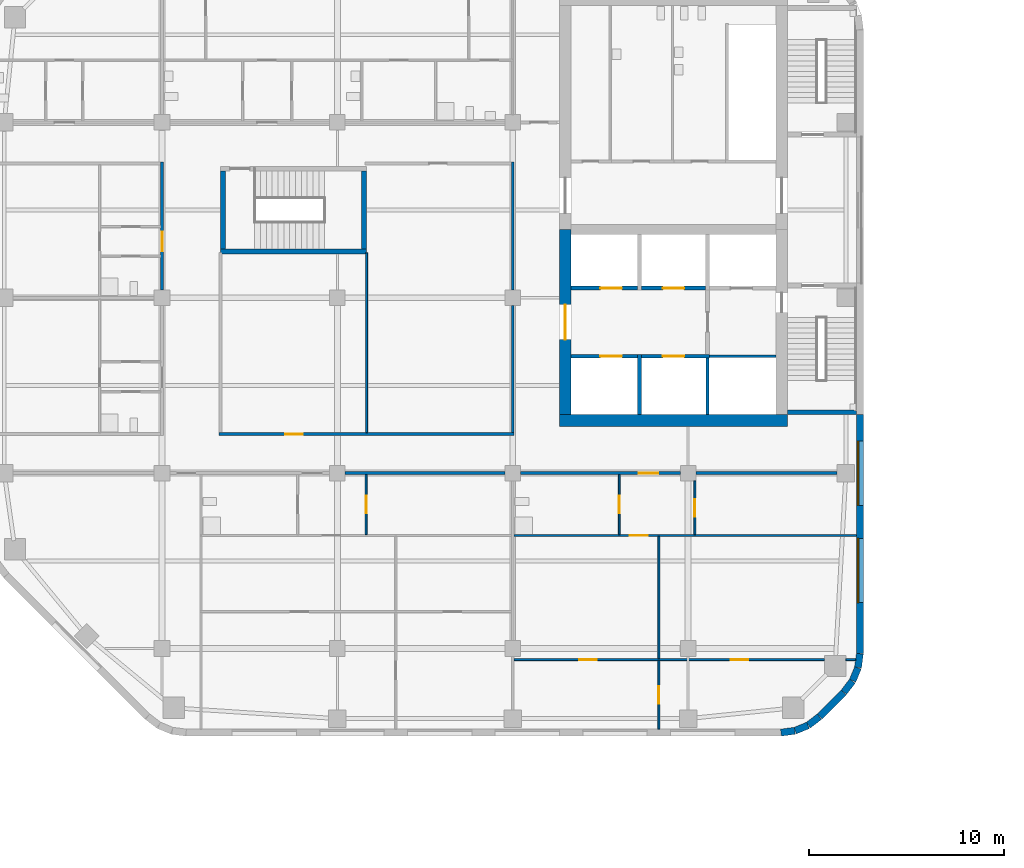
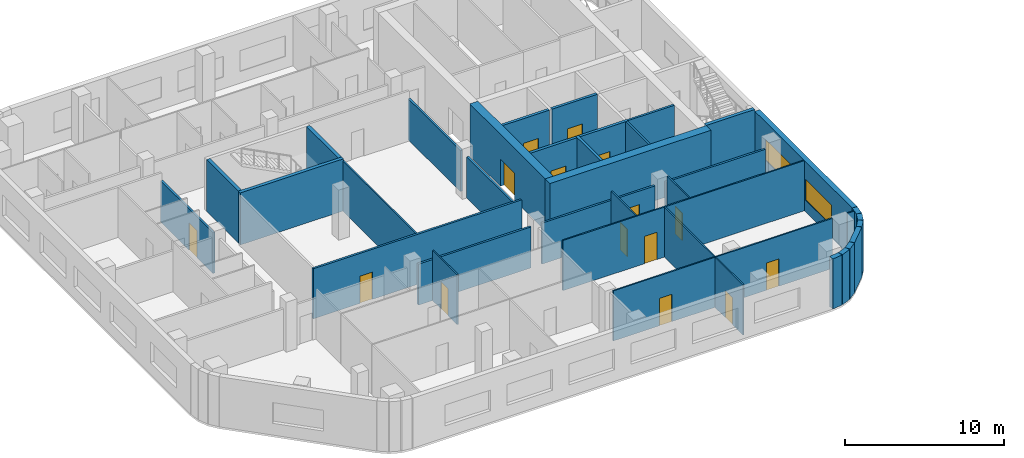
# One storey, part 6 of 16: 37 walls, 15 doors, 2 windows, 17 openings.
"""IFC4 building model written with IfcOpenShell, lengths in metres."""

from ifc_helpers import new_model, si_unit, direction, frame, frame_2d, origin, place, context, subcontext, project, spatial, rectangle, extrude, material, layer, layer_set, type_object, element, fill, save


model = new_model("IFC4")

# Units and contexts
model_context = context("Model", 3, precision=1e-05, world=origin(), true_north=direction((0.0, 1.0)))
body_context = subcontext(model_context, "Body", "Model", "MODEL_VIEW")
ifc_project = project(units=[si_unit("LENGTHUNIT", "METRE"), si_unit("AREAUNIT", "SQUARE_METRE"), si_unit("VOLUMEUNIT", "CUBIC_METRE"), si_unit("PLANEANGLEUNIT", "RADIAN"), si_unit("MASSUNIT", "GRAM", prefix="KILO")], contexts=[model_context])

# Site, building, storey
site_placement = place(None, origin())
site = spatial("IfcSite", under=ifc_project, at=site_placement, CompositionType="ELEMENT")
building_placement = place(site_placement, origin())
building = spatial("IfcBuilding", under=site, at=building_placement, Name="Cinnabar Reach Civic Tower", CompositionType="ELEMENT")
storey_placement = place(building_placement, frame((0.0, 0.0, 34.0)))
storey = spatial("IfcBuildingStorey", under=building, at=storey_placement, Name="L07", CompositionType="ELEMENT", Elevation=34.0)

# Walls
ifc_material_1 = material(Name="Facing brick with insulated backing", Category="masonry")
ifc_layer_1 = layer(ifc_material_1, 0.36)
ifc_layer_set_1 = layer_set([ifc_layer_1], Name="Brick corner wall")
wall_type_1 = type_object("IfcWallType", Name="Brick corner wall", PredefinedType="STANDARD", material=ifc_layer_set_1)
for number, where, z_axis, x_axis, name in (
    (1, (-31.2314, 4.683, 0.0), (0.0, 0.0, 1.0), (0.99144092581, 0.13055608231, 0.0), "Brick corner wall"),
    (2, (-30.5027, 4.7819, 0.0), (0.0, 0.0, 1.0), (0.923871547278, 0.382702709855, 0.0), "Brick corner wall"),
):
    element("IfcWall", number, at=place(storey_placement, frame(where, z_axis=z_axis, x_axis=x_axis)), inside=storey, type_object=wall_type_1, Name=name, PredefinedType="STANDARD", context=body_context, shape_type="SweptSolid", body=[
        extrude(rectangle(XDim=0.7131, YDim=0.36, at=frame_2d((0.3565, 0.0))), origin(), (0.0, 0.0, 1.0), 3.85),
    ])
for number, where, z_axis, x_axis, name in (
    (3, (-29.8245, 5.066, 0.0), (0.0, 0.0, 1.0), (0.793321924995, 0.608802368033, 0.0), "Brick corner wall"),
    (4, (-28.0002, 6.7587, 0.0), (0.0, 0.0, 1.0), (0.608802368033, 0.793321924995, 0.0), "Brick corner wall"),
):
    element("IfcWall", number, at=place(storey_placement, frame(where, z_axis=z_axis, x_axis=x_axis)), inside=storey, type_object=wall_type_1, Name=name, PredefinedType="STANDARD", context=body_context, shape_type="SweptSolid", body=[
        extrude(rectangle(XDim=0.7132, YDim=0.36, at=frame_2d((0.3566, 0.0))), origin(), (0.0, 0.0, 1.0), 3.85),
    ])
for number, where, z_axis, x_axis, name in (
    (5, (-27.5548, 7.3439, 0.0), (0.0, 0.0, 1.0), (0.382702709855, 0.923871547278, 0.0), "Brick corner wall"),
    (6, (-27.2761, 8.0244, 0.0), (0.0, 0.0, 1.0), (0.13055608231, 0.99144092581, 0.0), "Brick corner wall"),
):
    element("IfcWall", number, at=place(storey_placement, frame(where, z_axis=z_axis, x_axis=x_axis)), inside=storey, type_object=wall_type_1, Name=name, PredefinedType="STANDARD", context=body_context, shape_type="SweptSolid", body=[
        extrude(rectangle(XDim=0.7131, YDim=0.36, at=frame_2d((0.3565, 0.0))), origin(), (0.0, 0.0, 1.0), 3.85),
    ])
ifc_layer_2 = layer(ifc_material_1, 0.36)
ifc_layer_set_2 = layer_set([ifc_layer_2], Name="Brick pier and spandrel wall")
wall_type_2 = type_object("IfcWallType", Name="Brick pier and spandrel wall", PredefinedType="STANDARD", material=ifc_layer_set_2)
wall_1_placement = place(storey_placement, frame((-29.2486, 5.506, 0.0), z_axis=(0.0, 0.0, 1.0), x_axis=(0.707106781187, 0.707106781187, 0.0)))
element("IfcWall", 7, at=wall_1_placement, inside=storey, type_object=wall_type_2, Name="Brick facade wall", PredefinedType="STANDARD", context=body_context, shape_type="SweptSolid", body=[
    extrude(rectangle(XDim=1.7573, YDim=0.36, at=frame_2d((0.8787, 0.0))), origin(), (0.0, 0.0, 1.0), 3.85),
])

# Wall, openings, windows
wall_2_placement = place(storey_placement, frame((-27.18, 8.7426, 0.0), z_axis=(0.0, 0.0, 1.0), x_axis=(0.0, 1.0, 0.0)))
wall_2 = element("IfcWall", 8, at=wall_2_placement, inside=storey, type_object=wall_type_2, Name="Brick facade wall", PredefinedType="STANDARD", context=body_context, shape_type="SweptSolid", body=[
    extrude(rectangle(XDim=12.2574, YDim=0.36, at=frame_2d((6.1287, 0.0))), origin(), (0.0, 0.0, 1.0), 3.85),
])
opening_1_placement = place(wall_2_placement, frame((2.6074, 0.0, 0.9)))
opening_1 = element("IfcOpeningElement", 9, at=opening_1_placement, cuts=wall_2, Name="Opening W2400", PredefinedType="OPENING", context=body_context, shape_type="SweptSolid", body=[
    extrude(rectangle(XDim=3.3, YDim=1.6, at=frame_2d((1.65, 0.8))), frame((0.0, 0.19, 0.0), z_axis=(0.0, -1.0, 0.0), x_axis=(1.0, 0.0, 0.0)), (0.0, 0.0, 1.0), 0.38),
])
opening_2_placement = place(wall_2_placement, frame((7.6074, 0.0, 0.9)))
opening_2 = element("IfcOpeningElement", 10, at=opening_2_placement, cuts=wall_2, Name="Opening W2401", PredefinedType="OPENING", context=body_context, shape_type="SweptSolid", body=[
    extrude(rectangle(XDim=3.3, YDim=1.6, at=frame_2d((1.65, 0.8))), frame((0.0, 0.19, 0.0), z_axis=(0.0, -1.0, 0.0), x_axis=(1.0, 0.0, 0.0)), (0.0, 0.0, 1.0), 0.38),
])
ifc_material_2 = material(Name="Clear double glazing in aluminium frame", Category="aluminium")
window_type = type_object("IfcWindowType", Name="Deep-set window A", PartitioningType="SINGLE_PANEL", PredefinedType="WINDOW", material=ifc_material_2)
window_1_placement = place(opening_1_placement, origin())
window_1 = element("IfcWindow", 11, at=window_1_placement, inside=storey, type_object=window_type, Name="Window east face", OverallHeight=1.6, OverallWidth=3.3, PartitioningType="SINGLE_PANEL", PredefinedType="WINDOW", context=body_context, shape_type="SweptSolid", body=[
    extrude(rectangle(XDim=3.3, YDim=1.6, at=frame_2d((1.65, 0.8))), frame((0.0, 0.13, 0.0), z_axis=(0.0, -1.0, 0.0), x_axis=(1.0, 0.0, 0.0)), (0.0, 0.0, 1.0), 0.06),
])
fill(opening_1, window_1)
window_2_placement = place(opening_2_placement, origin())
window_2 = element("IfcWindow", 12, at=window_2_placement, inside=storey, type_object=window_type, Name="Window east face", OverallHeight=1.6, OverallWidth=3.3, PartitioningType="SINGLE_PANEL", PredefinedType="WINDOW", context=body_context, shape_type="SweptSolid", body=[
    extrude(rectangle(XDim=3.3, YDim=1.6, at=frame_2d((1.65, 0.8))), frame((0.0, 0.13, 0.0), z_axis=(0.0, -1.0, 0.0), x_axis=(1.0, 0.0, 0.0)), (0.0, 0.0, 1.0), 0.06),
])
fill(opening_2, window_2)

# Wall
ifc_material_3 = material(Name="Concrete C70", Category="concrete")
ifc_layer_3 = layer(ifc_material_3, 0.6)
ifc_layer_set_3 = layer_set([ifc_layer_3], Name="Core wall 600 EI 180")
wall_type_3 = type_object("IfcWallType", Name="Core wall 600 EI 180", PredefinedType="SOLIDWALL", material=ifc_layer_set_3)
wall_3_placement = place(storey_placement, frame((-42.6, 20.7, 0.0), z_axis=(0.0, 0.0, 1.0), x_axis=(1.0, 0.0, 0.0)))
element("IfcWall", 13, at=wall_3_placement, inside=storey, type_object=wall_type_3, Name="Core wall T2 L07 S", PredefinedType="SOLIDWALL", context=body_context, shape_type="SweptSolid", body=[
    extrude(rectangle(XDim=11.7, YDim=0.6, at=frame_2d((5.85, 0.0))), origin(), (0.0, 0.0, 1.0), 4.0),
])

# Wall, opening, door
wall_4_placement = place(storey_placement, frame((-42.3, 30.5, 0.0), z_axis=(0.0, 0.0, 1.0), x_axis=(0.0, -1.0, 0.0)))
wall_4 = element("IfcWall", 14, at=wall_4_placement, inside=storey, type_object=wall_type_3, Name="Core wall T2 L07 W2", PredefinedType="SOLIDWALL", context=body_context, shape_type="SweptSolid", body=[
    extrude(rectangle(XDim=9.5, YDim=0.6, at=frame_2d((4.75, 0.0))), origin(), (0.0, 0.0, 1.0), 4.0),
])
opening_3_placement = place(wall_4_placement, frame((3.85, 0.0, 0.0)))
opening_3 = element("IfcOpeningElement", 15, at=opening_3_placement, cuts=wall_4, Name="Opening D6214", PredefinedType="OPENING", context=body_context, shape_type="SweptSolid", body=[
    extrude(rectangle(XDim=1.8, YDim=2.1, at=frame_2d((0.9, 1.05))), frame((0.0, 0.31, 0.0), z_axis=(0.0, -1.0, 0.0), x_axis=(1.0, 0.0, 0.0)), (0.0, 0.0, 1.0), 0.62),
])
ifc_material_4 = material(Name="Steel fire door", Category="steel")
door_type_1 = type_object("IfcDoorType", Name="T2 Double door 1800", OperationType="DOUBLE_DOOR_SINGLE_SWING", PredefinedType="DOOR", material=ifc_material_4)
door_1_placement = place(opening_3_placement, origin())
door_1 = element("IfcDoor", 16, at=door_1_placement, inside=storey, type_object=door_type_1, Name="T2 Double door D6214", OperationType="DOUBLE_DOOR_SINGLE_SWING", OverallHeight=2.1, OverallWidth=1.8, PredefinedType="DOOR", context=body_context, shape_type="SweptSolid", body=[
    extrude(rectangle(XDim=1.8, YDim=2.1, at=frame_2d((0.9, 1.05))), frame((0.0, 0.025, 0.0), z_axis=(0.0, -1.0, 0.0), x_axis=(1.0, 0.0, 0.0)), (0.0, 0.0, 1.0), 0.05),
])
fill(opening_3, door_1)

# Wall
ifc_material_5 = material(Name="Gypsum board on steel studs, double layer", Category="steel")
ifc_layer_4 = layer(ifc_material_5, 0.15)
ifc_layer_set_4 = layer_set([ifc_layer_4], Name="Corridor wall 150 T2")
wall_type_4 = type_object("IfcWallType", Name="Corridor wall 150 T2", PredefinedType="PARTITIONING", material=ifc_layer_set_4)
wall_5_placement = place(storey_placement, frame((-35.6, 18.0, 0.0), z_axis=(0.0, 0.0, 1.0), x_axis=(1.0, 0.0, 0.0)))
element("IfcWall", 17, at=wall_5_placement, inside=storey, type_object=wall_type_4, Name="Corridor wall 1", PredefinedType="PARTITIONING", context=body_context, shape_type="SweptSolid", body=[
    extrude(rectangle(XDim=7.25, YDim=0.15, at=frame_2d((3.625, 0.0))), origin(), (0.0, 0.0, 1.0), 3.15),
])

# Wall, opening, door
wall_6_placement = place(storey_placement, frame((-44.6, 18.0, 0.0), z_axis=(0.0, 0.0, 1.0), x_axis=(1.0, 0.0, 0.0)))
wall_6 = element("IfcWall", 18, at=wall_6_placement, inside=storey, type_object=wall_type_4, Name="Corridor wall 2", PredefinedType="PARTITIONING", context=body_context, shape_type="SweptSolid", body=[
    extrude(rectangle(XDim=8.2, YDim=0.15, at=frame_2d((4.1, 0.0))), origin(), (0.0, 0.0, 1.0), 3.15),
])
opening_4_placement = place(wall_6_placement, frame((6.0684, 0.0, 0.0)))
opening_4 = element("IfcOpeningElement", 19, at=opening_4_placement, cuts=wall_6, Name="Opening D6234", PredefinedType="OPENING", context=body_context, shape_type="SweptSolid", body=[
    extrude(rectangle(XDim=1.0, YDim=2.1, at=frame_2d((0.5, 1.05))), frame((0.0, 0.085, 0.0), z_axis=(0.0, -1.0, 0.0), x_axis=(1.0, 0.0, 0.0)), (0.0, 0.0, 1.0), 0.17),
])
ifc_material_6 = material(Name="Timber door leaf in steel frame", Category="steel")
door_type_2 = type_object("IfcDoorType", Name="Tenancy entrance door 1000 x 2100 T2", OperationType="SINGLE_SWING_LEFT", PredefinedType="DOOR", material=ifc_material_6)
door_2_placement = place(opening_4_placement, frame((1.0, 0.0, 0.0), z_axis=(0.0, 0.0, 1.0), x_axis=(-1.0, 0.0, 0.0)))
door_2 = element("IfcDoor", 20, at=door_2_placement, inside=storey, type_object=door_type_2, Name="Door D6234", OperationType="SINGLE_SWING_RIGHT", OverallHeight=2.1, OverallWidth=1.0, PredefinedType="DOOR", context=body_context, shape_type="SweptSolid", body=[
    extrude(rectangle(XDim=1.0, YDim=2.1, at=frame_2d((0.5, 1.05))), frame((0.0, 0.025, 0.0), z_axis=(0.0, -1.0, 0.0), x_axis=(1.0, 0.0, 0.0)), (0.0, 0.0, 1.0), 0.05),
])
fill(opening_4, door_2)

# Wall
wall_7_placement = place(storey_placement, frame((-53.6, 18.0, 0.0), z_axis=(0.0, 0.0, 1.0), x_axis=(1.0, 0.0, 0.0)))
element("IfcWall", 21, at=wall_7_placement, inside=storey, type_object=wall_type_4, Name="Corridor wall 3", PredefinedType="PARTITIONING", context=body_context, shape_type="SweptSolid", body=[
    extrude(rectangle(XDim=8.2, YDim=0.15, at=frame_2d((4.1, 0.0))), origin(), (0.0, 0.0, 1.0), 3.15),
])

# Wall, opening, door
wall_8_placement = place(storey_placement, frame((-60.075, 20.0, 0.0), z_axis=(0.0, 0.0, 1.0), x_axis=(1.0, 0.0, 0.0)))
wall_8 = element("IfcWall", 22, at=wall_8_placement, inside=storey, type_object=wall_type_4, Name="Corridor wall 10", PredefinedType="PARTITIONING", context=body_context, shape_type="SweptSolid", body=[
    extrude(rectangle(XDim=15.15, YDim=0.15, at=frame_2d((7.575, 0.0))), origin(), (0.0, 0.0, 1.0), 3.85),
])
opening_5_placement = place(wall_8_placement, frame((3.4, 0.0, 0.0)))
opening_5 = element("IfcOpeningElement", 23, at=opening_5_placement, cuts=wall_8, Name="Opening D6255", PredefinedType="OPENING", context=body_context, shape_type="SweptSolid", body=[
    extrude(rectangle(XDim=0.9, YDim=2.1, at=frame_2d((0.45, 1.05))), frame((0.0, 0.085, 0.0), z_axis=(0.0, -1.0, 0.0), x_axis=(1.0, 0.0, 0.0)), (0.0, 0.0, 1.0), 0.17),
])
door_type_3 = type_object("IfcDoorType", Name="Single swing door 900 x 2100 T2", OperationType="SINGLE_SWING_LEFT", PredefinedType="DOOR", material=ifc_material_6)
door_3_placement = place(opening_5_placement, origin())
door_3 = element("IfcDoor", 24, at=door_3_placement, inside=storey, type_object=door_type_3, Name="Door D6255", OperationType="SINGLE_SWING_RIGHT", OverallHeight=2.1, OverallWidth=0.9, PredefinedType="DOOR", context=body_context, shape_type="SweptSolid", body=[
    extrude(rectangle(XDim=0.9, YDim=2.1, at=frame_2d((0.45, 1.05))), frame((0.0, 0.025, 0.0), z_axis=(0.0, -1.0, 0.0), x_axis=(1.0, 0.0, 0.0)), (0.0, 0.0, 1.0), 0.05),
])
fill(opening_5, door_3)

wall_9_placement = place(storey_placement, frame((-63.0, 27.4, 0.0), z_axis=(0.0, 0.0, 1.0), x_axis=(0.0, 1.0, 0.0)))
wall_9 = element("IfcWall", 25, at=wall_9_placement, inside=storey, type_object=wall_type_4, Name="Corridor wall 12", PredefinedType="PARTITIONING", context=body_context, shape_type="SweptSolid", body=[
    extrude(rectangle(XDim=6.575, YDim=0.15, at=frame_2d((3.2875, 0.0))), origin(), (0.0, 0.0, 1.0), 3.158),
])
opening_6_placement = place(wall_9_placement, frame((1.989, 0.0, 0.0)))
opening_6 = element("IfcOpeningElement", 26, at=opening_6_placement, cuts=wall_9, Name="Opening D6254", PredefinedType="OPENING", context=body_context, shape_type="SweptSolid", body=[
    extrude(rectangle(XDim=1.0, YDim=2.1, at=frame_2d((0.5, 1.05))), frame((0.0, 0.085, 0.0), z_axis=(0.0, -1.0, 0.0), x_axis=(1.0, 0.0, 0.0)), (0.0, 0.0, 1.0), 0.17),
])
door_4_placement = place(opening_6_placement, origin())
door_4 = element("IfcDoor", 27, at=door_4_placement, inside=storey, type_object=door_type_2, Name="Door D6254", OperationType="SINGLE_SWING_LEFT", OverallHeight=2.1, OverallWidth=1.0, PredefinedType="DOOR", context=body_context, shape_type="SweptSolid", body=[
    extrude(rectangle(XDim=1.0, YDim=2.1, at=frame_2d((0.5, 1.05))), frame((0.0, 0.025, 0.0), z_axis=(0.0, -1.0, 0.0), x_axis=(1.0, 0.0, 0.0)), (0.0, 0.0, 1.0), 0.05),
])
fill(opening_6, door_4)

# Walls
wall_10_placement = place(storey_placement, frame((-45.0, 20.075, 0.0), z_axis=(0.0, 0.0, 1.0), x_axis=(0.0, 1.0, 0.0)))
element("IfcWall", 28, at=wall_10_placement, inside=storey, type_object=wall_type_4, Name="Corridor wall 13", PredefinedType="PARTITIONING", context=body_context, shape_type="SweptSolid", body=[
    extrude(rectangle(XDim=6.525, YDim=0.15, at=frame_2d((3.2625, 0.0))), origin(), (0.0, 0.0, 1.0), 3.158),
])
wall_11_placement = place(storey_placement, frame((-45.0, 27.4, 0.0), z_axis=(0.0, 0.0, 1.0), x_axis=(0.0, 1.0, 0.0)))
element("IfcWall", 29, at=wall_11_placement, inside=storey, type_object=wall_type_4, Name="Corridor wall 14", PredefinedType="PARTITIONING", context=body_context, shape_type="SweptSolid", body=[
    extrude(rectangle(XDim=6.575, YDim=0.15, at=frame_2d((3.2875, 0.0))), origin(), (0.0, 0.0, 1.0), 3.158),
])

# Wall, opening, door
ifc_material_7 = material(Name="Gypsum board on steel studs", Category="steel")
ifc_layer_5 = layer(ifc_material_7, 0.1)
ifc_layer_set_5 = layer_set([ifc_layer_5], Name="Partition wall 100 T2")
wall_type_5 = type_object("IfcWallType", Name="Partition wall 100 T2", PredefinedType="PARTITIONING", material=ifc_layer_set_5)
wall_12_placement = place(storey_placement, frame((-44.925, 14.8, 0.0), z_axis=(0.0, 0.0, 1.0), x_axis=(1.0, 0.0, 0.0)))
wall_12 = element("IfcWall", 30, at=wall_12_placement, inside=storey, type_object=wall_type_5, Name="Partition wall 24", PredefinedType="PARTITIONING", context=body_context, shape_type="SweptSolid", body=[
    extrude(rectangle(XDim=17.565, YDim=0.1, at=frame_2d((8.7825, 0.0))), origin(), (0.0, 0.0, 1.0), 3.85),
])
opening_7_placement = place(wall_12_placement, frame((5.9434, 0.0, 0.0)))
opening_7 = element("IfcOpeningElement", 31, at=opening_7_placement, cuts=wall_12, Name="Opening D6230", PredefinedType="OPENING", context=body_context, shape_type="SweptSolid", body=[
    extrude(rectangle(XDim=0.9, YDim=2.1, at=frame_2d((0.45, 1.05))), frame((0.0, 0.06, 0.0), z_axis=(0.0, -1.0, 0.0), x_axis=(1.0, 0.0, 0.0)), (0.0, 0.0, 1.0), 0.12),
])
door_5_placement = place(opening_7_placement, origin())
door_5 = element("IfcDoor", 32, at=door_5_placement, inside=storey, type_object=door_type_3, Name="Door D6230", OperationType="SINGLE_SWING_LEFT", OverallHeight=2.1, OverallWidth=0.9, PredefinedType="DOOR", context=body_context, shape_type="SweptSolid", body=[
    extrude(rectangle(XDim=0.9, YDim=2.1, at=frame_2d((0.45, 1.05))), frame((0.0, 0.025, 0.0), z_axis=(0.0, -1.0, 0.0), x_axis=(1.0, 0.0, 0.0)), (0.0, 0.0, 1.0), 0.05),
])
fill(opening_7, door_5)

# Wall, openings, doors
wall_13_placement = place(storey_placement, frame((-44.925, 8.43, 0.0), z_axis=(0.0, 0.0, 1.0), x_axis=(1.0, 0.0, 0.0)))
wall_13 = element("IfcWall", 33, at=wall_13_placement, inside=storey, type_object=wall_type_5, Name="Partition wall 27", PredefinedType="PARTITIONING", context=body_context, shape_type="SweptSolid", body=[
    extrude(rectangle(XDim=15.9219, YDim=0.1, at=frame_2d((7.961, 0.0))), origin(), (0.0, 0.0, 1.0), 3.85),
])
opening_8_placement = place(wall_13_placement, frame((3.35, 0.0, 0.0)))
opening_8 = element("IfcOpeningElement", 34, at=opening_8_placement, cuts=wall_13, Name="Opening D6232", PredefinedType="OPENING", context=body_context, shape_type="SweptSolid", body=[
    extrude(rectangle(XDim=0.9, YDim=2.1, at=frame_2d((0.45, 1.05))), frame((0.0, 0.06, 0.0), z_axis=(0.0, -1.0, 0.0), x_axis=(1.0, 0.0, 0.0)), (0.0, 0.0, 1.0), 0.12),
])
opening_9_placement = place(wall_13_placement, frame((11.125, 0.0, 0.0)))
opening_9 = element("IfcOpeningElement", 35, at=opening_9_placement, cuts=wall_13, Name="Opening D6233", PredefinedType="OPENING", context=body_context, shape_type="SweptSolid", body=[
    extrude(rectangle(XDim=0.9, YDim=2.1, at=frame_2d((0.45, 1.05))), frame((0.0, 0.06, 0.0), z_axis=(0.0, -1.0, 0.0), x_axis=(1.0, 0.0, 0.0)), (0.0, 0.0, 1.0), 0.12),
])
door_6_placement = place(opening_8_placement, frame((0.9, 0.0, 0.0), z_axis=(0.0, 0.0, 1.0), x_axis=(-1.0, 0.0, 0.0)))
door_6 = element("IfcDoor", 36, at=door_6_placement, inside=storey, type_object=door_type_3, Name="Door D6232", OperationType="SINGLE_SWING_RIGHT", OverallHeight=2.1, OverallWidth=0.9, PredefinedType="DOOR", context=body_context, shape_type="SweptSolid", body=[
    extrude(rectangle(XDim=0.9, YDim=2.1, at=frame_2d((0.45, 1.05))), frame((0.0, 0.025, 0.0), z_axis=(0.0, -1.0, 0.0), x_axis=(1.0, 0.0, 0.0)), (0.0, 0.0, 1.0), 0.05),
])
fill(opening_8, door_6)
door_7_placement = place(opening_9_placement, frame((0.9, 0.0, 0.0), z_axis=(0.0, 0.0, 1.0), x_axis=(-1.0, 0.0, 0.0)))
door_7 = element("IfcDoor", 37, at=door_7_placement, inside=storey, type_object=door_type_3, Name="Door D6233", OperationType="SINGLE_SWING_RIGHT", OverallHeight=2.1, OverallWidth=0.9, PredefinedType="DOOR", context=body_context, shape_type="SweptSolid", body=[
    extrude(rectangle(XDim=0.9, YDim=2.1, at=frame_2d((0.45, 1.05))), frame((0.0, 0.025, 0.0), z_axis=(0.0, -1.0, 0.0), x_axis=(1.0, 0.0, 0.0)), (0.0, 0.0, 1.0), 0.05),
])
fill(opening_9, door_7)

# Walls
wall_14_placement = place(storey_placement, frame((-27.9031, 8.43, 0.0), z_axis=(0.0, 0.0, 1.0), x_axis=(1.0, 0.0, 0.0)))
element("IfcWall", 38, at=wall_14_placement, inside=storey, type_object=wall_type_5, Name="Partition wall 28", PredefinedType="PARTITIONING", context=body_context, shape_type="SweptSolid", body=[
    extrude(rectangle(XDim=0.4988, YDim=0.1, at=frame_2d((0.2494, 0.0))), origin(), (0.0, 0.0, 1.0), 3.85),
])
wall_15_placement = place(storey_placement, frame((-37.5, 8.48, 0.0), z_axis=(0.0, 0.0, 1.0), x_axis=(0.0, 1.0, 0.0)))
element("IfcWall", 39, at=wall_15_placement, inside=storey, type_object=wall_type_5, Name="Partition wall 37", PredefinedType="PARTITIONING", context=body_context, shape_type="SweptSolid", body=[
    extrude(rectangle(XDim=6.27, YDim=0.1, at=frame_2d((3.135, 0.0))), origin(), (0.0, 0.0, 1.0), 3.85),
])

# Wall, opening, door
wall_16_placement = place(storey_placement, frame((-37.5, 4.86, 0.0), z_axis=(0.0, 0.0, 1.0), x_axis=(0.0, 1.0, 0.0)))
wall_16 = element("IfcWall", 40, at=wall_16_placement, inside=storey, type_object=wall_type_5, Name="Partition wall 38", PredefinedType="PARTITIONING", context=body_context, shape_type="SweptSolid", body=[
    extrude(rectangle(XDim=3.52, YDim=0.1, at=frame_2d((1.76, 0.0))), origin(), (0.0, 0.0, 1.0), 3.85),
])
opening_10_placement = place(wall_16_placement, frame((1.3, 0.0, 0.0)))
opening_10 = element("IfcOpeningElement", 41, at=opening_10_placement, cuts=wall_16, Name="Opening D6231", PredefinedType="OPENING", context=body_context, shape_type="SweptSolid", body=[
    extrude(rectangle(XDim=0.9, YDim=2.1, at=frame_2d((0.45, 1.05))), frame((0.0, 0.06, 0.0), z_axis=(0.0, -1.0, 0.0), x_axis=(1.0, 0.0, 0.0)), (0.0, 0.0, 1.0), 0.12),
])
door_8_placement = place(opening_10_placement, frame((0.9, 0.0, 0.0), z_axis=(0.0, 0.0, 1.0), x_axis=(-1.0, 0.0, 0.0)))
door_8 = element("IfcDoor", 42, at=door_8_placement, inside=storey, type_object=door_type_3, Name="Door D6231", OperationType="SINGLE_SWING_LEFT", OverallHeight=2.1, OverallWidth=0.9, PredefinedType="DOOR", context=body_context, shape_type="SweptSolid", body=[
    extrude(rectangle(XDim=0.9, YDim=2.1, at=frame_2d((0.45, 1.05))), frame((0.0, 0.025, 0.0), z_axis=(0.0, -1.0, 0.0), x_axis=(1.0, 0.0, 0.0)), (0.0, 0.0, 1.0), 0.05),
])
fill(opening_10, door_8)

# Wall
wall_17_placement = place(storey_placement, frame((-52.5, 20.075, 0.0), z_axis=(0.0, 0.0, 1.0), x_axis=(0.0, 1.0, 0.0)))
element("IfcWall", 43, at=wall_17_placement, inside=storey, type_object=wall_type_5, Name="Partition wall 39", PredefinedType="PARTITIONING", context=body_context, shape_type="SweptSolid", body=[
    extrude(rectangle(XDim=9.225, YDim=0.1, at=frame_2d((4.6125, 0.0))), origin(), (0.0, 0.0, 1.0), 3.85),
])

# Wall, opening, door
wall_18_placement = place(storey_placement, frame((-52.52, 14.85, 0.0), z_axis=(0.0, 0.0, 1.0), x_axis=(0.0, 1.0, 0.0)))
wall_18 = element("IfcWall", 44, at=wall_18_placement, inside=storey, type_object=wall_type_5, Name="Partition wall 55", PredefinedType="PARTITIONING", context=body_context, shape_type="SweptSolid", body=[
    extrude(rectangle(XDim=3.075, YDim=0.1, at=frame_2d((1.5375, 0.0))), origin(), (0.0, 0.0, 1.0), 3.85),
])
opening_11_placement = place(wall_18_placement, frame((1.1, 0.0, 0.0)))
opening_11 = element("IfcOpeningElement", 45, at=opening_11_placement, cuts=wall_18, Name="Opening D6222", PredefinedType="OPENING", context=body_context, shape_type="SweptSolid", body=[
    extrude(rectangle(XDim=0.9, YDim=2.1, at=frame_2d((0.45, 1.05))), frame((0.0, 0.06, 0.0), z_axis=(0.0, -1.0, 0.0), x_axis=(1.0, 0.0, 0.0)), (0.0, 0.0, 1.0), 0.12),
])
door_9_placement = place(opening_11_placement, origin())
door_9 = element("IfcDoor", 46, at=door_9_placement, inside=storey, type_object=door_type_3, Name="Door D6222", OperationType="SINGLE_SWING_LEFT", OverallHeight=2.1, OverallWidth=0.9, PredefinedType="DOOR", context=body_context, shape_type="SweptSolid", body=[
    extrude(rectangle(XDim=0.9, YDim=2.1, at=frame_2d((0.45, 1.05))), frame((0.0, 0.025, 0.0), z_axis=(0.0, -1.0, 0.0), x_axis=(1.0, 0.0, 0.0)), (0.0, 0.0, 1.0), 0.05),
])
fill(opening_11, door_9)

wall_19_placement = place(storey_placement, frame((-39.5316, 14.85, 0.0), z_axis=(0.0, 0.0, 1.0), x_axis=(0.0, 1.0, 0.0)))
wall_19 = element("IfcWall", 47, at=wall_19_placement, inside=storey, type_object=wall_type_5, Name="Partition wall 56", PredefinedType="PARTITIONING", context=body_context, shape_type="SweptSolid", body=[
    extrude(rectangle(XDim=3.075, YDim=0.1, at=frame_2d((1.5375, 0.0))), origin(), (0.0, 0.0, 1.0), 3.85),
])
opening_12_placement = place(wall_19_placement, frame((1.1, 0.0, 0.0)))
opening_12 = element("IfcOpeningElement", 48, at=opening_12_placement, cuts=wall_19, Name="Opening D6228", PredefinedType="OPENING", context=body_context, shape_type="SweptSolid", body=[
    extrude(rectangle(XDim=0.9, YDim=2.1, at=frame_2d((0.45, 1.05))), frame((0.0, 0.06, 0.0), z_axis=(0.0, -1.0, 0.0), x_axis=(1.0, 0.0, 0.0)), (0.0, 0.0, 1.0), 0.12),
])
door_10_placement = place(opening_12_placement, origin())
door_10 = element("IfcDoor", 49, at=door_10_placement, inside=storey, type_object=door_type_3, Name="Door D6228", OperationType="SINGLE_SWING_RIGHT", OverallHeight=2.1, OverallWidth=0.9, PredefinedType="DOOR", context=body_context, shape_type="SweptSolid", body=[
    extrude(rectangle(XDim=0.9, YDim=2.1, at=frame_2d((0.45, 1.05))), frame((0.0, 0.025, 0.0), z_axis=(0.0, -1.0, 0.0), x_axis=(1.0, 0.0, 0.0)), (0.0, 0.0, 1.0), 0.05),
])
fill(opening_12, door_10)

wall_20_placement = place(storey_placement, frame((-35.6508, 14.85, 0.0), z_axis=(0.0, 0.0, 1.0), x_axis=(0.0, 1.0, 0.0)))
wall_20 = element("IfcWall", 50, at=wall_20_placement, inside=storey, type_object=wall_type_5, Name="Partition wall 57", PredefinedType="PARTITIONING", context=body_context, shape_type="SweptSolid", body=[
    extrude(rectangle(XDim=2.75, YDim=0.1, at=frame_2d((1.375, 0.0))), origin(), (0.0, 0.0, 1.0), 3.85),
])
opening_13_placement = place(wall_20_placement, frame((0.9, 0.0, 0.0)))
opening_13 = element("IfcOpeningElement", 51, at=opening_13_placement, cuts=wall_20, Name="Opening D6229", PredefinedType="OPENING", context=body_context, shape_type="SweptSolid", body=[
    extrude(rectangle(XDim=0.9, YDim=2.1, at=frame_2d((0.45, 1.05))), frame((0.0, 0.06, 0.0), z_axis=(0.0, -1.0, 0.0), x_axis=(1.0, 0.0, 0.0)), (0.0, 0.0, 1.0), 0.12),
])
door_11_placement = place(opening_13_placement, origin())
door_11 = element("IfcDoor", 52, at=door_11_placement, inside=storey, type_object=door_type_3, Name="Door D6229", OperationType="SINGLE_SWING_RIGHT", OverallHeight=2.1, OverallWidth=0.9, PredefinedType="DOOR", context=body_context, shape_type="SweptSolid", body=[
    extrude(rectangle(XDim=0.9, YDim=2.1, at=frame_2d((0.45, 1.05))), frame((0.0, 0.025, 0.0), z_axis=(0.0, -1.0, 0.0), x_axis=(1.0, 0.0, 0.0)), (0.0, 0.0, 1.0), 0.05),
])
fill(opening_13, door_11)

# Walls
ifc_material_8 = material(Name="Concrete C60", Category="concrete")
ifc_layer_6 = layer(ifc_material_8, 0.25)
ifc_layer_set_6 = layer_set([ifc_layer_6], Name="Stair shaft wall 250 EI 120")
wall_type_6 = type_object("IfcWallType", Name="Stair shaft wall 250 EI 120", PredefinedType="SOLIDWALL", material=ifc_layer_set_6)
wall_21_placement = place(storey_placement, frame((-30.9, 21.125, 0.0), z_axis=(0.0, 0.0, 1.0), x_axis=(1.0, 0.0, 0.0)))
element("IfcWall", 53, at=wall_21_placement, inside=storey, type_object=wall_type_6, Name="Stair shaft wall T2-S1 L07", PredefinedType="SOLIDWALL", context=body_context, shape_type="SweptSolid", body=[
    extrude(rectangle(XDim=3.54, YDim=0.25, at=frame_2d((1.77, 0.0))), origin(), (0.0, 0.0, 1.0), 4.0),
])
wall_22_placement = place(storey_placement, frame((-60.0, 29.375, 0.0), z_axis=(0.0, 0.0, 1.0), x_axis=(1.0, 0.0, 0.0)))
element("IfcWall", 54, at=wall_22_placement, inside=storey, type_object=wall_type_6, Name="Stair shaft wall T2-S3 L07", PredefinedType="SOLIDWALL", context=body_context, shape_type="SweptSolid", body=[
    extrude(rectangle(XDim=7.5, YDim=0.25, at=frame_2d((3.75, 0.0))), origin(), (0.0, 0.0, 1.0), 4.0),
])
for number, where, z_axis, x_axis, name in (
    (55, (-52.625, 29.5, 0.0), (0.0, 0.0, 1.0), (0.0, 1.0, 0.0), "Stair shaft wall T2-S3 L07"),
    (56, (-59.875, 33.5, 0.0), (0.0, 0.0, 1.0), (0.0, -1.0, 0.0), "Stair shaft wall T2-S3 L07"),
):
    element("IfcWall", number, at=place(storey_placement, frame(where, z_axis=z_axis, x_axis=x_axis)), inside=storey, type_object=wall_type_6, Name=name, PredefinedType="SOLIDWALL", context=body_context, shape_type="SweptSolid", body=[
        extrude(rectangle(XDim=4.0, YDim=0.25, at=frame_2d((2.0, 0.0))), origin(), (0.0, 0.0, 1.0), 4.0),
    ])
ifc_material_9 = material(Name="Concrete C40", Category="concrete")
ifc_layer_7 = layer(ifc_material_9, 0.15)
ifc_layer_set_7 = layer_set([ifc_layer_7], Name="T2 Riser wall 150")
wall_type_7 = type_object("IfcWallType", Name="T2 Riser wall 150", PredefinedType="SOLIDWALL", material=ifc_layer_set_7)
wall_23_placement = place(storey_placement, frame((-35.0, 21.0, 0.0), z_axis=(0.0, 0.0, 1.0), x_axis=(0.0, 1.0, 0.0)))
element("IfcWall", 57, at=wall_23_placement, inside=storey, type_object=wall_type_7, Name="T2 Riser wall L07 010", PredefinedType="SOLIDWALL", context=body_context, shape_type="SweptSolid", body=[
    extrude(rectangle(XDim=2.9, YDim=0.15, at=frame_2d((1.45, 0.0))), origin(), (0.0, 0.0, 1.0), 4.0),
])
wall_24_placement = place(storey_placement, frame((-31.5, 24.0, 0.0), z_axis=(0.0, 0.0, 1.0), x_axis=(-1.0, 0.0, 0.0)))
element("IfcWall", 58, at=wall_24_placement, inside=storey, type_object=wall_type_7, Name="T2 Riser wall L07 011", PredefinedType="SOLIDWALL", context=body_context, shape_type="SweptSolid", body=[
    extrude(rectangle(XDim=3.4, YDim=0.15, at=frame_2d((1.7, 0.0))), origin(), (0.0, 0.0, 1.0), 4.0),
])
ifc_layer_8 = layer(ifc_material_9, 0.2)
ifc_layer_set_8 = layer_set([ifc_layer_8], Name="T2 Shaft wall 200")
wall_type_8 = type_object("IfcWallType", Name="T2 Shaft wall 200", PredefinedType="SOLIDWALL", material=ifc_layer_set_8)
wall_25_placement = place(storey_placement, frame((-38.5, 21.0, 0.0), z_axis=(0.0, 0.0, 1.0), x_axis=(0.0, 1.0, 0.0)))
element("IfcWall", 59, at=wall_25_placement, inside=storey, type_object=wall_type_8, Name="T2 Shaft wall L07 001", PredefinedType="SOLIDWALL", context=body_context, shape_type="SweptSolid", body=[
    extrude(rectangle(XDim=3.1, YDim=0.2, at=frame_2d((1.55, 0.0))), origin(), (0.0, 0.0, 1.0), 4.0),
])

# Wall, opening, door
wall_26_placement = place(storey_placement, frame((-38.6, 24.0, 0.0), z_axis=(0.0, 0.0, 1.0), x_axis=(-1.0, 0.0, 0.0)))
wall_26 = element("IfcWall", 60, at=wall_26_placement, inside=storey, type_object=wall_type_8, Name="T2 Shaft wall L07 002", PredefinedType="SOLIDWALL", context=body_context, shape_type="SweptSolid", body=[
    extrude(rectangle(XDim=3.4, YDim=0.2, at=frame_2d((1.7, 0.0))), origin(), (0.0, 0.0, 1.0), 4.0),
])
opening_14_placement = place(wall_26_placement, frame((0.8, 0.0, 0.0)))
opening_14 = element("IfcOpeningElement", 61, at=opening_14_placement, cuts=wall_26, Name="Opening D6204", PredefinedType="OPENING", context=body_context, shape_type="SweptSolid", body=[
    extrude(rectangle(XDim=1.1, YDim=2.1, at=frame_2d((0.55, 1.05))), frame((0.0, 0.11, 0.0), z_axis=(0.0, -1.0, 0.0), x_axis=(1.0, 0.0, 0.0)), (0.0, 0.0, 1.0), 0.22),
])
door_type_4 = type_object("IfcDoorType", Name="T2 Lift landing door 1100", OperationType="SLIDING_TO_LEFT", PredefinedType="DOOR", material=ifc_material_4)
door_12_placement = place(opening_14_placement, origin())
door_12 = element("IfcDoor", 62, at=door_12_placement, inside=storey, type_object=door_type_4, Name="T2 Lift landing door D6204", OperationType="SLIDING_TO_LEFT", OverallHeight=2.1, OverallWidth=1.1, PredefinedType="DOOR", context=body_context, shape_type="SweptSolid", body=[
    extrude(rectangle(XDim=1.1, YDim=2.1, at=frame_2d((0.55, 1.05))), frame((0.0, 0.025, 0.0), z_axis=(0.0, -1.0, 0.0), x_axis=(1.0, 0.0, 0.0)), (0.0, 0.0, 1.0), 0.05),
])
fill(opening_14, door_12)

wall_27_placement = place(storey_placement, frame((-34.9, 24.0, 0.0), z_axis=(0.0, 0.0, 1.0), x_axis=(-1.0, 0.0, 0.0)))
wall_27 = element("IfcWall", 63, at=wall_27_placement, inside=storey, type_object=wall_type_8, Name="T2 Shaft wall L07 003", PredefinedType="SOLIDWALL", context=body_context, shape_type="SweptSolid", body=[
    extrude(rectangle(XDim=3.5, YDim=0.2, at=frame_2d((1.75, 0.0))), origin(), (0.0, 0.0, 1.0), 4.0),
])
opening_15_placement = place(wall_27_placement, frame((1.3, 0.0, 0.0)))
opening_15 = element("IfcOpeningElement", 64, at=opening_15_placement, cuts=wall_27, Name="Opening D6205", PredefinedType="OPENING", context=body_context, shape_type="SweptSolid", body=[
    extrude(rectangle(XDim=1.1, YDim=2.1, at=frame_2d((0.55, 1.05))), frame((0.0, 0.11, 0.0), z_axis=(0.0, -1.0, 0.0), x_axis=(1.0, 0.0, 0.0)), (0.0, 0.0, 1.0), 0.22),
])
door_13_placement = place(opening_15_placement, origin())
door_13 = element("IfcDoor", 65, at=door_13_placement, inside=storey, type_object=door_type_4, Name="T2 Lift landing door D6205", OperationType="SLIDING_TO_LEFT", OverallHeight=2.1, OverallWidth=1.1, PredefinedType="DOOR", context=body_context, shape_type="SweptSolid", body=[
    extrude(rectangle(XDim=1.1, YDim=2.1, at=frame_2d((0.55, 1.05))), frame((0.0, 0.025, 0.0), z_axis=(0.0, -1.0, 0.0), x_axis=(1.0, 0.0, 0.0)), (0.0, 0.0, 1.0), 0.05),
])
fill(opening_15, door_13)

wall_28_placement = place(storey_placement, frame((-42.0, 27.5, 0.0), z_axis=(0.0, 0.0, 1.0), x_axis=(1.0, 0.0, 0.0)))
wall_28 = element("IfcWall", 66, at=wall_28_placement, inside=storey, type_object=wall_type_8, Name="T2 Shaft wall L07 005", PredefinedType="SOLIDWALL", context=body_context, shape_type="SweptSolid", body=[
    extrude(rectangle(XDim=3.4, YDim=0.2, at=frame_2d((1.7, 0.0))), origin(), (0.0, 0.0, 1.0), 4.0),
])
opening_16_placement = place(wall_28_placement, frame((1.5, 0.0, 0.0)))
opening_16 = element("IfcOpeningElement", 67, at=opening_16_placement, cuts=wall_28, Name="Opening D6206", PredefinedType="OPENING", context=body_context, shape_type="SweptSolid", body=[
    extrude(rectangle(XDim=1.1, YDim=2.1, at=frame_2d((0.55, 1.05))), frame((0.0, 0.11, 0.0), z_axis=(0.0, -1.0, 0.0), x_axis=(1.0, 0.0, 0.0)), (0.0, 0.0, 1.0), 0.22),
])
door_14_placement = place(opening_16_placement, origin())
door_14 = element("IfcDoor", 68, at=door_14_placement, inside=storey, type_object=door_type_4, Name="T2 Lift landing door D6206", OperationType="SLIDING_TO_LEFT", OverallHeight=2.1, OverallWidth=1.1, PredefinedType="DOOR", context=body_context, shape_type="SweptSolid", body=[
    extrude(rectangle(XDim=1.1, YDim=2.1, at=frame_2d((0.55, 1.05))), frame((0.0, 0.025, 0.0), z_axis=(0.0, -1.0, 0.0), x_axis=(1.0, 0.0, 0.0)), (0.0, 0.0, 1.0), 0.05),
])
fill(opening_16, door_14)

wall_29_placement = place(storey_placement, frame((-38.4, 27.5, 0.0), z_axis=(0.0, 0.0, 1.0), x_axis=(1.0, 0.0, 0.0)))
wall_29 = element("IfcWall", 69, at=wall_29_placement, inside=storey, type_object=wall_type_8, Name="T2 Shaft wall L07 007", PredefinedType="SOLIDWALL", context=body_context, shape_type="SweptSolid", body=[
    extrude(rectangle(XDim=3.3, YDim=0.2, at=frame_2d((1.65, 0.0))), origin(), (0.0, 0.0, 1.0), 4.0),
])
opening_17_placement = place(wall_29_placement, frame((1.1, 0.0, 0.0)))
opening_17 = element("IfcOpeningElement", 70, at=opening_17_placement, cuts=wall_29, Name="Opening D6207", PredefinedType="OPENING", context=body_context, shape_type="SweptSolid", body=[
    extrude(rectangle(XDim=1.1, YDim=2.1, at=frame_2d((0.55, 1.05))), frame((0.0, 0.11, 0.0), z_axis=(0.0, -1.0, 0.0), x_axis=(1.0, 0.0, 0.0)), (0.0, 0.0, 1.0), 0.22),
])
door_15_placement = place(opening_17_placement, origin())
door_15 = element("IfcDoor", 71, at=door_15_placement, inside=storey, type_object=door_type_4, Name="T2 Lift landing door D6207", OperationType="SLIDING_TO_LEFT", OverallHeight=2.1, OverallWidth=1.1, PredefinedType="DOOR", context=body_context, shape_type="SweptSolid", body=[
    extrude(rectangle(XDim=1.1, YDim=2.1, at=frame_2d((0.55, 1.05))), frame((0.0, 0.025, 0.0), z_axis=(0.0, -1.0, 0.0), x_axis=(1.0, 0.0, 0.0)), (0.0, 0.0, 1.0), 0.05),
])
fill(opening_17, door_15)

save(model, "model.ifc")
